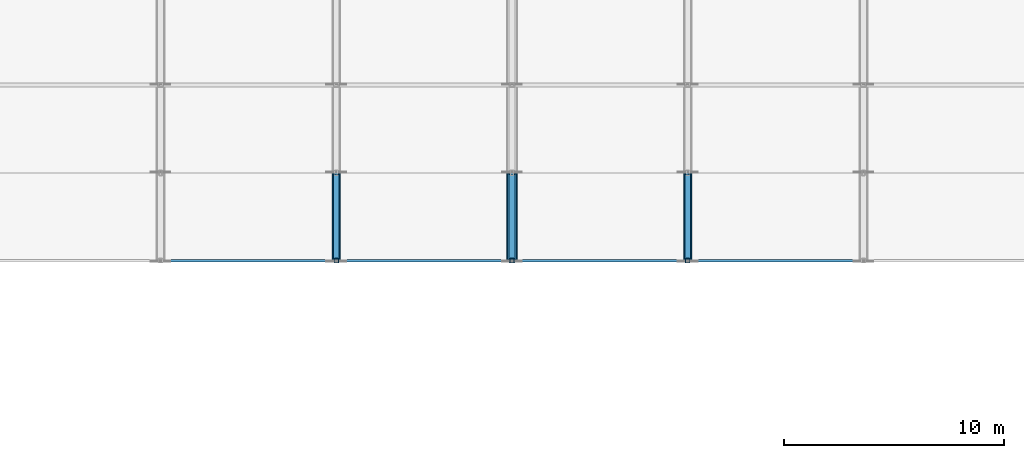
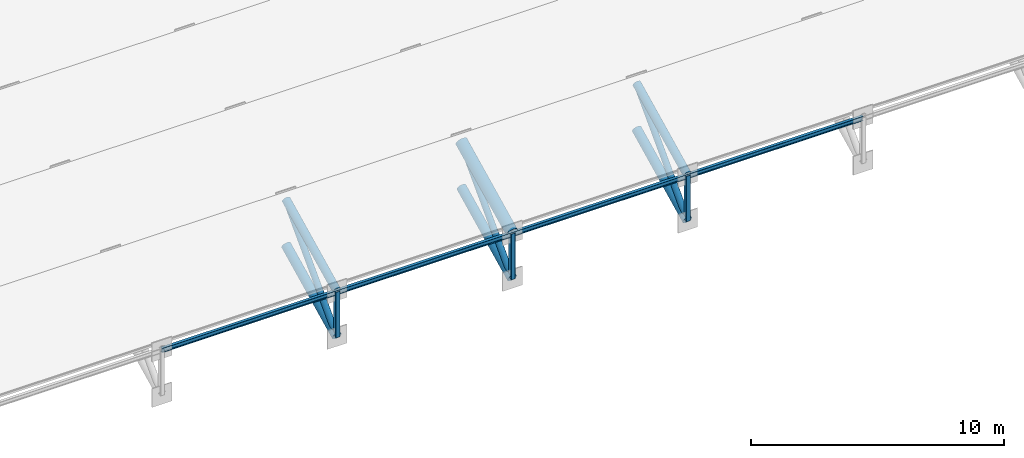
# One storey, part 3 of 98: 16 members.
"""IFC4 building model written with IfcOpenShell, lengths in metres."""

from ifc_helpers import new_model, si_unit, direction, frame, origin, origin_2d, place, context, subcontext, project, spatial, hollow_rectangle, hollow_circle, i_section, extrude, material, material_profile, profile_set, type_object, element, save


model = new_model("IFC4")

# Units and contexts
model_context = context("Model", 3, precision=1e-05, world=origin(), true_north=direction((0.0, 1.0)))
body_context = subcontext(model_context, "Body", "Model", "MODEL_VIEW")
ifc_project = project(units=[si_unit("LENGTHUNIT", "METRE"), si_unit("AREAUNIT", "SQUARE_METRE"), si_unit("VOLUMEUNIT", "CUBIC_METRE"), si_unit("PLANEANGLEUNIT", "RADIAN"), si_unit("MASSUNIT", "GRAM", prefix="KILO")], contexts=[model_context])

# Site, building, storey
site_placement = place(None, origin())
site = spatial("IfcSite", under=ifc_project, at=site_placement, CompositionType="ELEMENT")
building_placement = place(site_placement, origin())
building = spatial("IfcBuilding", under=site, at=building_placement, Name="Tlacozan Convention Centre", CompositionType="ELEMENT")
storey_placement = place(building_placement, frame((0.0, 0.0, 25.800048828125)))
storey = spatial("IfcBuildingStorey", under=building, at=storey_placement, Name="Roof", CompositionType="ELEMENT", Elevation=25.800048828125)

# Members
ifc_material_1 = material(Name="Steel ASTM A500 Grade C", Category="steel")
ifc_material_profile_1 = material_profile(ifc_material_1, hollow_circle(Radius=0.203125, WallThickness=0.015869140625, at=origin_2d()), Name="OC 406.4x15.9")
ifc_profile_set_1 = profile_set([ifc_material_profile_1], Name="Steel ASTM A500 Grade C")
member_type_1 = type_object("IfcMemberType", Name="Arch Bottom Chord OC 406.4x15.9", PredefinedType="CHORD", material=ifc_profile_set_1)
for number, where, z_axis, x_axis, name in (
    (1, (40.0, 62.0, -12.800048828125), (0.0, 0.897300183135, 0.441420866459), (-1.0, 0.0, 0.0), "V2A Roof Truss 6 Bottom Chord 1"),
    (2, (48.0, 62.0, -12.800048828125), (0.0, 0.897300183135, 0.441420866459), (-1.0, 0.0, 0.0), "V2A Roof Truss 7 Bottom Chord 1"),
    (3, (56.0, 62.0, -12.800048828125), (0.0, 0.897300183135, 0.441420866459), (-1.0, 0.0, 0.0), "V2A Roof Truss 8 Bottom Chord 1"),
):
    element("IfcMember", number, at=place(storey_placement, frame(where, z_axis=z_axis, x_axis=x_axis)), inside=storey, type_object=member_type_1, Name=name, PredefinedType="CHORD", context=body_context, shape_type="SweptSolid", body=[
        extrude(hollow_circle(Radius=0.203125, WallThickness=0.015869140625, at=origin_2d()), origin(), (0.0, 0.0, 1.0), 4.457763671875),
    ])
ifc_material_profile_2 = material_profile(ifc_material_1, hollow_circle(Radius=0.25390625, WallThickness=0.01904296875, at=origin_2d()), Name="OC 508.0x19.1")
ifc_profile_set_2 = profile_set([ifc_material_profile_2], Name="Steel ASTM A500 Grade C")
member_type_2 = type_object("IfcMemberType", Name="Arch Top Chord OC 508x19.1", PredefinedType="CHORD", material=ifc_profile_set_2)
member_placement = place(storey_placement, frame((48.0, 62.0, -10.60009765625), z_axis=(0.0, 0.897300183135, 0.441420866459), x_axis=(-1.0, 0.0, 0.0)))
element("IfcMember", 4, at=member_placement, inside=storey, type_object=member_type_2, Name="V2A Roof Truss 7 Top Chord 1", PredefinedType="CHORD", context=body_context, shape_type="SweptSolid", body=[
    extrude(hollow_circle(Radius=0.25390625, WallThickness=0.01904296875, at=origin_2d()), origin(), (0.0, 0.0, 1.0), 4.457763671875),
])
ifc_material_profile_3 = material_profile(ifc_material_1, hollow_circle(Radius=0.136474609375, WallThickness=0.0126953125, at=origin_2d()), Name="OC 273.1x12.7")
ifc_profile_set_3 = profile_set([ifc_material_profile_3], Name="Steel ASTM A500 Grade C")
member_type_3 = type_object("IfcMemberType", Name="Arch Web Diagonal OC 273.1x12.7", PredefinedType="BRACE", material=ifc_profile_set_3)
for number, where, z_axis, x_axis, name in (
    (5, (40.0, 62.0, -12.800048828125), (0.0, 0.69244032859, 0.721475149497), (-1.0, 0.0, 0.0), "V2A Roof Truss 6 Web Diagonal 1"),
    (6, (48.0, 62.0, -12.800048828125), (0.0, 0.69244032859, 0.721475149497), (-1.0, 0.0, 0.0), "V2A Roof Truss 7 Web Diagonal 1"),
    (7, (56.0, 62.0, -12.800048828125), (0.0, 0.69244032859, 0.721475149497), (-1.0, 0.0, 0.0), "V2A Roof Truss 8 Web Diagonal 1"),
):
    element("IfcMember", number, at=place(storey_placement, frame(where, z_axis=z_axis, x_axis=x_axis)), inside=storey, type_object=member_type_3, Name=name, PredefinedType="BRACE", context=body_context, shape_type="SweptSolid", body=[
        extrude(hollow_circle(Radius=0.136474609375, WallThickness=0.0126953125, at=origin_2d()), origin(), (0.0, 0.0, 1.0), 5.776611328125),
    ])
ifc_material_profile_4 = material_profile(ifc_material_1, hollow_rectangle(XDim=0.203125, YDim=0.203125, WallThickness=0.0126953125, InnerFilletRadius=0.0126953125, OuterFilletRadius=0.02490234375, at=origin_2d()), Name="OR 203x203x12.7")
ifc_profile_set_4 = profile_set([ifc_material_profile_4], Name="Steel ASTM A500 Grade C")
member_type_4 = type_object("IfcMemberType", Name="Arch Web Strut OR 203x203x12.7", PredefinedType="STRUT", material=ifc_profile_set_4)
for number, where, z_axis, x_axis, name in (
    (8, (40.0, 62.0, -12.800048828125), (0.0, 0.0, 1.0), (1.0, 0.0, 0.0), "V2A Roof Truss 6 Vertical Strut 1"),
    (9, (48.0, 62.0, -12.800048828125), (0.0, 0.0, 1.0), (1.0, 0.0, 0.0), "V2A Roof Truss 7 Vertical Strut 1"),
    (10, (56.0, 62.0, -12.800048828125), (0.0, 0.0, 1.0), (1.0, 0.0, 0.0), "V2A Roof Truss 8 Vertical Strut 1"),
):
    element("IfcMember", number, at=place(storey_placement, frame(where, z_axis=z_axis, x_axis=x_axis)), inside=storey, type_object=member_type_4, Name=name, PredefinedType="STRUT", context=body_context, shape_type="SweptSolid", body=[
        extrude(hollow_rectangle(XDim=0.203125, YDim=0.203125, WallThickness=0.0126953125, InnerFilletRadius=0.0126953125, OuterFilletRadius=0.02490234375, at=origin_2d()), origin(), (0.0, 0.0, 1.0), 2.199951171875),
    ])
ifc_material_profile_5 = material_profile(ifc_material_1, hollow_circle(Radius=0.177734375, WallThickness=0.015869140625, at=origin_2d()), Name="OC 355.6x15.9")
ifc_profile_set_5 = profile_set([ifc_material_profile_5], Name="Steel ASTM A500 Grade C")
member_type_5 = type_object("IfcMemberType", Name="Secondary Arch Chord OC 355.6x15.9", PredefinedType="CHORD", material=ifc_profile_set_5)
for number, where, z_axis, x_axis, name in (
    (11, (40.0, 62.0, -10.60009765625), (0.0, 0.897300183135, 0.441420866459), (-1.0, 0.0, 0.0), "V2A Roof Truss 6 Top Chord 1"),
    (12, (56.0, 62.0, -10.60009765625), (0.0, 0.897300183135, 0.441420866459), (-1.0, 0.0, 0.0), "V2A Roof Truss 8 Top Chord 1"),
):
    element("IfcMember", number, at=place(storey_placement, frame(where, z_axis=z_axis, x_axis=x_axis)), inside=storey, type_object=member_type_5, Name=name, PredefinedType="CHORD", context=body_context, shape_type="SweptSolid", body=[
        extrude(hollow_circle(Radius=0.177734375, WallThickness=0.015869140625, at=origin_2d()), origin(), (0.0, 0.0, 1.0), 4.457763671875),
    ])
ifc_material_2 = material(Name="Steel ASTM A992 Grade 50", Category="steel")
ifc_material_profile_6 = material_profile(ifc_material_2, i_section(OverallWidth=0.134033203125, OverallDepth=0.2099609375, WebThickness=0.00634765625, FlangeThickness=0.01025390625, FilletRadius=0.008056640625, at=origin_2d()), Name="IR 203x31.3")
ifc_profile_set_6 = profile_set([ifc_material_profile_6], Name="Steel ASTM A992 Grade 50")
member_type_6 = type_object("IfcMemberType", Name="Secondary Eave Purlin IR 203x31.3", PredefinedType="PURLIN", material=ifc_profile_set_6)
for number, where, z_axis, x_axis, name in (
    (13, (32.0, 62.0, -10.6650390625), (1.0, 0.0, 0.0), (0.0, 1.0, 0.0), "V2A Roof Truss Purlin 5.1"),
    (14, (40.0, 62.0, -10.6650390625), (1.0, 0.0, 0.0), (0.0, 1.0, 0.0), "V2A Roof Truss Purlin 6.1"),
    (15, (48.0, 62.0, -10.6650390625), (1.0, 0.0, 0.0), (0.0, 1.0, 0.0), "V2A Roof Truss Purlin 7.1"),
    (16, (56.0, 62.0, -10.6650390625), (1.0, 0.0, 0.0), (0.0, 1.0, 0.0), "V2A Roof Truss Purlin 8.1"),
):
    element("IfcMember", number, at=place(storey_placement, frame(where, z_axis=z_axis, x_axis=x_axis)), inside=storey, type_object=member_type_6, Name=name, PredefinedType="PURLIN", context=body_context, shape_type="SweptSolid", body=[
        extrude(i_section(OverallWidth=0.134033203125, OverallDepth=0.2099609375, WebThickness=0.00634765625, FlangeThickness=0.01025390625, FilletRadius=0.008056640625, at=origin_2d()), origin(), (0.0, 0.0, 1.0), 8.0),
    ])

save(model, "model.ifc")
